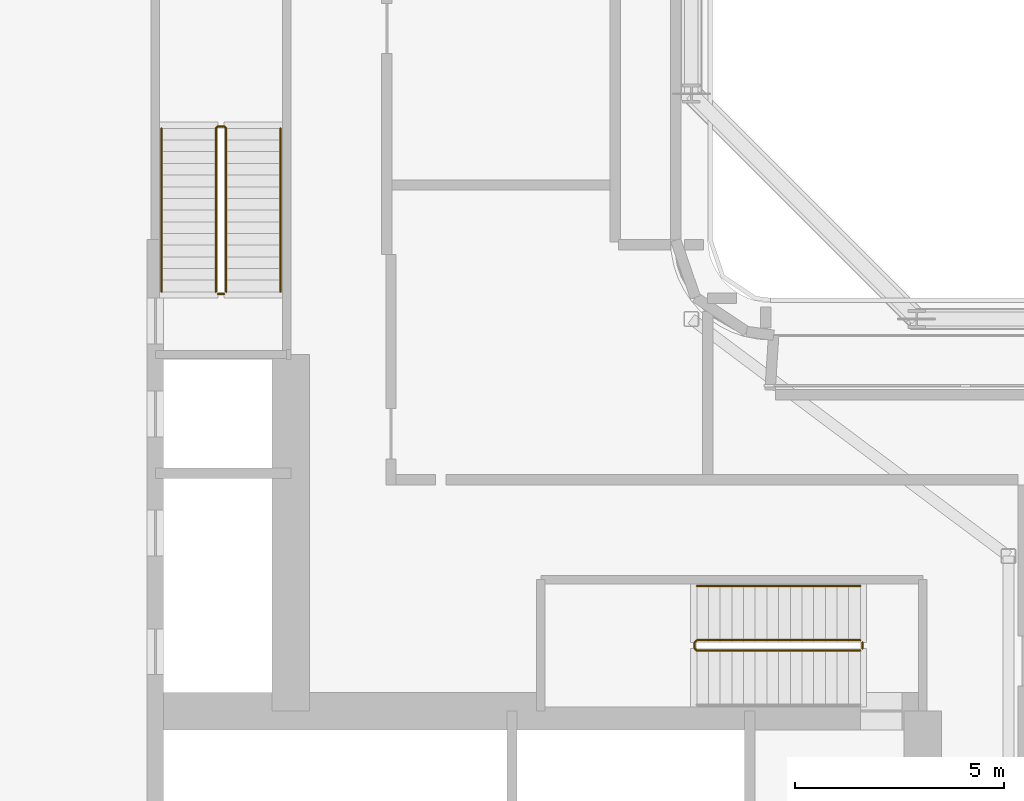
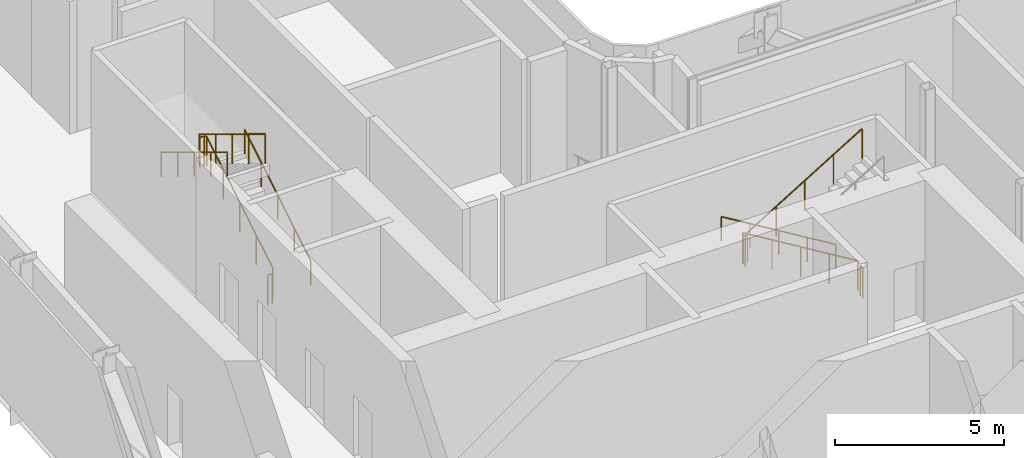
# One storey, part 25 of 30: 7 railings.
"""IFC4 building model written with IfcOpenShell, lengths in metres."""

import ifcopenshell
import ifcopenshell.guid

model = None  # the IFC model being written
_history = None  # IfcOwnerHistory: only IFC2X3 demands one
_inside = {}  # id of a spatial element -> (the spatial element, [elements in it])
_under = {}  # id of a project, library or spatial element -> (it, [spatial elements below it])
_declared = {}  # id of a project -> (the project, [libraries it declares])
_typed = {}  # id of a type object -> (the type object, [elements of that type])
_made_of = {}  # id of a material, layer set ... -> (it, [elements and type objects made of it])


def new_model(schema):
    """Start an empty IFC model of exactly this schema.

    Asked for "IFC4X3", IfcOpenShell would pick the latest addendum, in which some entities
    have other attributes; the version numbers below select the first issue.
    IFC2X3 requires an IfcOwnerHistory on every rooted entity: one is made here for all.
    """
    global model, _history
    if schema == "IFC4X3":
        model = ifcopenshell.file(schema_version=(4, 3, 0, 0))
    else:
        model = ifcopenshell.file(schema=schema)
    _inside.clear()
    _under.clear()
    _declared.clear()
    _typed.clear()
    _made_of.clear()
    _history = None
    if model.schema == "IFC2X3":
        org = make("IfcOrganization", Name="unknown")
        user = make(
            "IfcPersonAndOrganization",
            ThePerson=make("IfcPerson", FamilyName="unknown"),
            TheOrganization=org,
        )
        app = make(
            "IfcApplication",
            ApplicationDeveloper=org,
            Version="unknown",
            ApplicationFullName="unknown",
            ApplicationIdentifier="unknown",
        )
        _history = make(
            "IfcOwnerHistory",
            OwningUser=user,
            OwningApplication=app,
            ChangeAction="ADDED",
            CreationDate=0,
        )
    return model


def make(cls, **values):
    """One entity of the class cls with the attributes given. An attribute that is None is left unset."""
    return model.create_entity(
        cls, **{name: value for name, value in values.items() if value is not None}
    )


def rooted(cls, **values):
    """An entity with a GlobalId (a new one), such as an element, a storey or a relation."""
    return make(cls, GlobalId=ifcopenshell.guid.new(), OwnerHistory=_history, **values)


def si_unit(unit_type, name, prefix=None):
    """IfcSIUnit, for example si_unit("LENGTHUNIT", "METRE", prefix="MILLI")."""
    return make("IfcSIUnit", UnitType=unit_type, Prefix=prefix, Name=name)


def assignment(units):
    """IfcUnitAssignment: the units of a project."""
    return None if units is None else make("IfcUnitAssignment", Units=units)


def point(xyz):
    """IfcCartesianPoint."""
    return None if xyz is None else make("IfcCartesianPoint", Coordinates=xyz)


def direction(xyz):
    """IfcDirection."""
    return None if xyz is None else make("IfcDirection", DirectionRatios=xyz)


def frame(location, z_axis=None, x_axis=None):
    """IfcAxis2Placement3D, a coordinate frame: its origin and axes. An axis left out is left unset."""
    return make(
        "IfcAxis2Placement3D",
        Location=point(location),
        Axis=direction(z_axis),
        RefDirection=direction(x_axis),
    )


def frame_2d(location, x_axis=None):
    """IfcAxis2Placement2D, a coordinate frame in the plane: its origin and x axis."""
    return make(
        "IfcAxis2Placement2D", Location=point(location), RefDirection=direction(x_axis)
    )


def origin():
    """The frame at (0, 0, 0) with its axes left unset."""
    return frame((0.0, 0.0, 0.0))


def origin_2d():
    """The frame at (0, 0) in the plane with its x axis left unset."""
    return frame_2d((0.0, 0.0))


def place(relative_to, where):
    """IfcLocalPlacement: puts the frame where relative to a parent placement (None: the world)."""
    return make(
        "IfcLocalPlacement", PlacementRelTo=relative_to, RelativePlacement=where
    )


def context(
    kind, dimensions, precision=None, world=None, true_north=None, identifier=None
):
    """IfcGeometricRepresentationContext, for example the 3D "Model" context."""
    return make(
        "IfcGeometricRepresentationContext",
        ContextIdentifier=identifier,
        ContextType=kind,
        CoordinateSpaceDimension=dimensions,
        Precision=precision,
        WorldCoordinateSystem=world,
        TrueNorth=true_north,
    )


def subcontext(parent, identifier, kind, view, scale=None):
    """IfcGeometricRepresentationSubContext, for example "Body" below "Model"."""
    return make(
        "IfcGeometricRepresentationSubContext",
        ContextIdentifier=identifier,
        ContextType=kind,
        ParentContext=parent,
        TargetScale=scale,
        TargetView=view,
    )


def project(units=None, contexts=None):
    """IfcProject with its units and contexts."""
    return rooted(
        "IfcProject",
        Name="project",
        RepresentationContexts=contexts,
        UnitsInContext=assignment(units),
    )


def spatial(cls, under=None, at=None, **own):
    """A site, building, storey or space (cls), placed at a placement, below another one or the project."""
    s = rooted(cls, ObjectPlacement=at, **own)
    if under is not None:
        _under.setdefault(under.id(), (under, []))[1].append(s)
    return s


def profile(cls, at=None, kind="AREA", **sizes):
    """A parametric profile (cls). Its sizes go by their IFC names, for example OverallWidth=200.0."""
    return make(cls, ProfileType=kind, Position=at, **sizes)


def circle(**sizes):
    """IfcCircleProfileDef."""
    return profile("IfcCircleProfileDef", **sizes)


def extrude(swept, where, along, depth):
    """IfcExtrudedAreaSolid: the profile swept, set in the frame where, extruded along a direction by depth."""
    return make(
        "IfcExtrudedAreaSolid",
        SweptArea=swept,
        Position=where,
        ExtrudedDirection=direction(along),
        Depth=depth,
    )


def shape(context_of_items, identifier, shape_type, items):
    """IfcShapeRepresentation: the items that make up one representation, for example the "Body"."""
    return make(
        "IfcShapeRepresentation",
        ContextOfItems=context_of_items,
        RepresentationIdentifier=identifier,
        RepresentationType=shape_type,
        Items=items,
    )


def material(Name=None, Category=None):
    """IfcMaterial."""
    return make("IfcMaterial", Name=Name, Category=Category)


def made_of(thing, what):
    """Note that an element or type object is made of a material, layer set ...; save() writes the relation."""
    if what is not None:
        _made_of.setdefault(what.id(), (what, []))[1].append(thing)
    return thing


def type_object(cls, material=None, **own):
    """A type object (cls), such as IfcWallType, which elements share."""
    return made_of(rooted(cls, **own), material)


def element(
    cls,
    number,
    at=None,
    inside=None,
    cuts=None,
    type_object=None,
    material=None,
    context=None,
    identifier="Body",
    shape_type=None,
    held_by="IfcProductDefinitionShape",
    body=None,
    shapes=None,
    **own,
):
    """One element of the class cls, such as IfcWall. Its Tag is "e" and its number.

    at: its placement. inside: the storey or other place that contains it. cuts: it is an
    opening in that element (IfcRelVoidsElement). A single representation is given by context,
    identifier, shape_type and body (its items); several are given by shapes. held_by: the class
    of the entity that holds the representations. save() writes the other relations.
    """
    e = rooted(cls, Tag="e%d" % number, ObjectPlacement=at, **own)
    if body is not None:
        shapes = [shape(context, identifier, shape_type, body)]
    if shapes is not None:
        e.Representation = make(held_by, Representations=shapes)
    if inside is not None:
        _inside.setdefault(inside.id(), (inside, []))[1].append(e)
    if cuts is not None:
        rooted(
            "IfcRelVoidsElement", RelatingBuildingElement=cuts, RelatedOpeningElement=e
        )
    if type_object is not None:
        _typed.setdefault(type_object.id(), (type_object, []))[1].append(e)
    return made_of(e, material)


def aggregate(whole, parts):
    """IfcRelAggregates: a whole, such as a stair, and the parts it consists of."""
    return rooted("IfcRelAggregates", RelatingObject=whole, RelatedObjects=parts)


def save(model, path):
    """Write the relations noted so far, then the file.

    IfcRelAggregates (storeys below a building ...), IfcRelContainedInSpatialStructure (elements
    in a storey), IfcRelDefinesByType, IfcRelAssociatesMaterial and IfcRelDeclares: one each for
    every whole, place, type object, material and project.
    """
    for whole, parts in _under.values():
        aggregate(whole, parts)
    for where, things in _inside.values():
        rooted(
            "IfcRelContainedInSpatialStructure",
            RelatedElements=things,
            RelatingStructure=where,
        )
    for kind, things in _typed.values():
        rooted("IfcRelDefinesByType", RelatedObjects=things, RelatingType=kind)
    for what, things in _made_of.values():
        rooted("IfcRelAssociatesMaterial", RelatedObjects=things, RelatingMaterial=what)
    for by, libraries in _declared.values():
        rooted("IfcRelDeclares", RelatingContext=by, RelatedDefinitions=libraries)
    model.write(path)


model = new_model("IFC4")

# Units and contexts
model_context = context("Model", 3, precision=1e-05, world=origin(), true_north=direction((0.0, 1.0)))
body_context = subcontext(model_context, "Body", "Model", "MODEL_VIEW")
ifc_project = project(units=[si_unit("LENGTHUNIT", "METRE"), si_unit("AREAUNIT", "SQUARE_METRE"), si_unit("VOLUMEUNIT", "CUBIC_METRE"), si_unit("PLANEANGLEUNIT", "RADIAN"), si_unit("MASSUNIT", "GRAM", prefix="KILO")], contexts=[model_context])

# Site, building, storey
site_placement = place(None, origin())
site = spatial("IfcSite", under=ifc_project, at=site_placement, CompositionType="ELEMENT")
building_placement = place(site_placement, origin())
building = spatial("IfcBuilding", under=site, at=building_placement, Name="Kheshtan School and Residences Tower", CompositionType="ELEMENT")
storey_placement = place(building_placement, frame((0.0, 0.0, 89.0)))
storey = spatial("IfcBuildingStorey", under=building, at=storey_placement, Name="L20", CompositionType="ELEMENT", Elevation=89.0)

# Railings
ifc_material_1 = material(Name="Stainless steel balustrade", Category="steel")
railing_type_1 = type_object("IfcRailingType", Name="Stair guard 1100", PredefinedType="GUARDRAIL", material=ifc_material_1)
railing_1_placement = place(storey_placement, frame((51.64990234375, 37.89990234375, 0.169921875)))
element("IfcRailing", 1, at=railing_1_placement, inside=storey, type_object=railing_type_1, Name="L20 ST1 stair guard 1", PredefinedType="GUARDRAIL", context=body_context, shape_type="SweptSolid", body=[
    extrude(circle(Radius=0.02392578125, at=origin_2d()), frame((0.0, 0.0, 1.076171875), z_axis=(-0.854770645689, 0.0, 0.519005918337), x_axis=(0.0, -1.0, 0.0)), (0.0, 0.0, 1.0), 4.5859375),
    extrude(circle(Radius=0.02392578125, at=origin_2d()), frame((-3.919921875, 0.0, 3.4560546875), z_axis=(-0.708833529934, -0.705375805398, 0.0), x_axis=(0.705375805398, -0.708833529934, 0.0)), (0.0, 0.0, 1.0), 0.070556640625),
    extrude(circle(Radius=0.02392578125, at=origin_2d()), frame((-3.969970703125, -0.0498046875, 3.4560546875), z_axis=(0.0, -1.0, 0.0), x_axis=(1.0, 0.0, 0.0)), (0.0, 0.0, 1.0), 0.150146484375),
    extrude(circle(Radius=0.02392578125, at=origin_2d()), frame((-3.969970703125, -0.199951171875, 3.4560546875), z_axis=(0.271895245746, -0.271895245746, 0.923117517265), x_axis=(0.707106781187, 0.707106781187, 0.0)), (0.0, 0.0, 1.0), 0.18408203125),
    extrude(circle(Radius=0.02392578125, at=origin_2d()), frame((-3.919921875, -0.25, 3.6259765625), z_axis=(0.854770645689, 0.0, 0.519005918337), x_axis=(0.0, 1.0, 0.0)), (0.0, 0.0, 1.0), 4.5859375),
    extrude(circle(Radius=0.02099609375, at=origin_2d()), origin(), (0.0, 0.0, 1.0), 1.052001953125),
    extrude(circle(Radius=0.02099609375, at=origin_2d()), frame((-0.97998046875, 0.0, 0.594970703125)), (0.0, 0.0, 1.0), 1.052001953125),
    extrude(circle(Radius=0.02099609375, at=origin_2d()), frame((-1.9599609375, 0.0, 1.18994140625)), (0.0, 0.0, 1.0), 1.052001953125),
    extrude(circle(Radius=0.02099609375, at=origin_2d()), frame((-2.93994140625, 0.0, 1.78515625)), (0.0, 0.0, 1.0), 1.052001953125),
    extrude(circle(Radius=0.02099609375, at=origin_2d()), frame((-3.919921875, 0.0, 2.380126953125)), (0.0, 0.0, 1.0), 1.052001953125),
    extrude(circle(Radius=0.02099609375, at=origin_2d()), frame((-3.969970703125, -0.0498046875, 2.380126953125)), (0.0, 0.0, 1.0), 1.052001953125),
    extrude(circle(Radius=0.02099609375, at=origin_2d()), frame((-3.969970703125, -0.199951171875, 2.380126953125)), (0.0, 0.0, 1.0), 1.052001953125),
    extrude(circle(Radius=0.02099609375, at=origin_2d()), frame((-3.919921875, -0.25, 2.550048828125)), (0.0, 0.0, 1.0), 1.052001953125),
    extrude(circle(Radius=0.02099609375, at=origin_2d()), frame((-2.93994140625, -0.25, 3.14501953125)), (0.0, 0.0, 1.0), 1.052001953125),
    extrude(circle(Radius=0.02099609375, at=origin_2d()), frame((-1.9599609375, -0.25, 3.740234375)), (0.0, 0.0, 1.0), 1.052001953125),
    extrude(circle(Radius=0.02099609375, at=origin_2d()), frame((-0.97998046875, -0.25, 4.335205078125)), (0.0, 0.0, 1.0), 1.052001953125),
    extrude(circle(Radius=0.02099609375, at=origin_2d()), frame((0.0, -0.25, 4.93017578125)), (0.0, 0.0, 1.0), 1.052001953125),
])
railing_2_placement = place(storey_placement, frame((51.699951171875, 37.85009765625, 0.0)))
element("IfcRailing", 2, at=railing_2_placement, inside=storey, type_object=railing_type_1, Name="L20 ST1 stair guard 2", PredefinedType="GUARDRAIL", context=body_context, shape_type="SweptSolid", body=[
    extrude(circle(Radius=0.02392578125, at=origin_2d()), frame((0.0, 0.0, 1.076171875), z_axis=(0.0, -1.0, 0.0), x_axis=(1.0, 0.0, 0.0)), (0.0, 0.0, 1.0), 0.150146484375),
    extrude(circle(Radius=0.02099609375, at=origin_2d()), origin(), (0.0, 0.0, 1.0), 1.052001953125),
    extrude(circle(Radius=0.02099609375, at=origin_2d()), frame((0.0, -0.150146484375, 0.0)), (0.0, 0.0, 1.0), 1.052001953125),
])
railing_3_placement = place(storey_placement, frame((36.449951171875, 46.25, 0.169921875)))
element("IfcRailing", 3, at=railing_3_placement, inside=storey, type_object=railing_type_1, Name="L20 ST2 stair guard 1", PredefinedType="GUARDRAIL", context=body_context, shape_type="SweptSolid", body=[
    extrude(circle(Radius=0.02392578125, at=origin_2d()), frame((0.0, 0.0, 1.076171875), z_axis=(0.0, 0.854770645689, 0.519005918337), x_axis=(-1.0, 0.0, 0.0)), (0.0, 0.0, 1.0), 4.5859375),
    extrude(circle(Radius=0.02392578125, at=origin_2d()), frame((0.0, 3.919921875, 3.4560546875), z_axis=(-0.707106781187, 0.707106781187, 0.0), x_axis=(-0.707106781187, -0.707106781187, 0.0)), (0.0, 0.0, 1.0), 0.07080078125),
    extrude(circle(Radius=0.02392578125, at=origin_2d()), frame((-0.050048828125, 3.969970703125, 3.4560546875), z_axis=(-1.0, 0.0, 0.0), x_axis=(0.0, -1.0, 0.0)), (0.0, 0.0, 1.0), 0.14990234375),
    extrude(circle(Radius=0.02392578125, at=origin_2d()), frame((-0.199951171875, 3.969970703125, 3.4560546875), z_axis=(-0.271895245746, -0.271895245746, 0.923117517265), x_axis=(0.707106781187, -0.707106781187, 0.0)), (0.0, 0.0, 1.0), 0.18408203125),
    extrude(circle(Radius=0.02392578125, at=origin_2d()), frame((-0.25, 3.919921875, 3.6259765625), z_axis=(0.0, -0.854770645689, 0.519005918337), x_axis=(1.0, 0.0, 0.0)), (0.0, 0.0, 1.0), 4.5859375),
    extrude(circle(Radius=0.02099609375, at=origin_2d()), origin(), (0.0, 0.0, 1.0), 1.052001953125),
    extrude(circle(Radius=0.02099609375, at=origin_2d()), frame((0.0, 0.97998046875, 0.594970703125)), (0.0, 0.0, 1.0), 1.052001953125),
    extrude(circle(Radius=0.02099609375, at=origin_2d()), frame((0.0, 1.9599609375, 1.18994140625)), (0.0, 0.0, 1.0), 1.052001953125),
    extrude(circle(Radius=0.02099609375, at=origin_2d()), frame((0.0, 2.93994140625, 1.78515625)), (0.0, 0.0, 1.0), 1.052001953125),
    extrude(circle(Radius=0.02099609375, at=origin_2d()), frame((0.0, 3.919921875, 2.380126953125)), (0.0, 0.0, 1.0), 1.052001953125),
    extrude(circle(Radius=0.02099609375, at=origin_2d()), frame((-0.050048828125, 3.969970703125, 2.380126953125)), (0.0, 0.0, 1.0), 1.052001953125),
    extrude(circle(Radius=0.02099609375, at=origin_2d()), frame((-0.199951171875, 3.969970703125, 2.380126953125)), (0.0, 0.0, 1.0), 1.052001953125),
    extrude(circle(Radius=0.02099609375, at=origin_2d()), frame((-0.25, 3.919921875, 2.550048828125)), (0.0, 0.0, 1.0), 1.052001953125),
    extrude(circle(Radius=0.02099609375, at=origin_2d()), frame((-0.25, 2.93994140625, 3.14501953125)), (0.0, 0.0, 1.0), 1.052001953125),
    extrude(circle(Radius=0.02099609375, at=origin_2d()), frame((-0.25, 1.9599609375, 3.740234375)), (0.0, 0.0, 1.0), 1.052001953125),
    extrude(circle(Radius=0.02099609375, at=origin_2d()), frame((-0.25, 0.97998046875, 4.335205078125)), (0.0, 0.0, 1.0), 1.052001953125),
    extrude(circle(Radius=0.02099609375, at=origin_2d()), frame((-0.25, 0.0, 4.93017578125)), (0.0, 0.0, 1.0), 1.052001953125),
])
railing_4_placement = place(storey_placement, frame((36.39990234375, 46.199951171875, 0.0)))
element("IfcRailing", 4, at=railing_4_placement, inside=storey, type_object=railing_type_1, Name="L20 ST2 stair guard 2", PredefinedType="GUARDRAIL", context=body_context, shape_type="SweptSolid", body=[
    extrude(circle(Radius=0.02392578125, at=origin_2d()), frame((0.0, 0.0, 1.076171875), z_axis=(-1.0, 0.0, 0.0), x_axis=(0.0, -1.0, 0.0)), (0.0, 0.0, 1.0), 0.14990234375),
    extrude(circle(Radius=0.02099609375, at=origin_2d()), origin(), (0.0, 0.0, 1.0), 1.052001953125),
    extrude(circle(Radius=0.02099609375, at=origin_2d()), frame((-0.14990234375, 0.0, 0.0)), (0.0, 0.0, 1.0), 1.052001953125),
])
ifc_material_2 = material(Name="Stainless steel handrail", Category="steel")
railing_type_2 = type_object("IfcRailingType", Name="Stair handrail 900", PredefinedType="HANDRAIL", material=ifc_material_2)
railing_5_placement = place(storey_placement, frame((51.64990234375, 39.199951171875, 0.169921875)))
element("IfcRailing", 5, at=railing_5_placement, inside=storey, type_object=railing_type_2, Name="L20 ST1 stair handrail 1", PredefinedType="HANDRAIL", context=body_context, shape_type="SweptSolid", body=[
    extrude(circle(Radius=0.02392578125, at=origin_2d()), frame((0.0, 0.0, 0.8759765625), z_axis=(-0.854770645689, 0.0, 0.519005918337), x_axis=(0.0, -1.0, 0.0)), (0.0, 0.0, 1.0), 4.5859375),
    extrude(circle(Radius=0.02099609375, at=origin_2d()), origin(), (0.0, 0.0, 1.0), 0.851806640625),
    extrude(circle(Radius=0.02099609375, at=origin_2d()), frame((-0.97998046875, 0.0, 0.594970703125)), (0.0, 0.0, 1.0), 0.851806640625),
    extrude(circle(Radius=0.02099609375, at=origin_2d()), frame((-1.9599609375, 0.0, 1.18994140625)), (0.0, 0.0, 1.0), 0.851806640625),
    extrude(circle(Radius=0.02099609375, at=origin_2d()), frame((-2.93994140625, 0.0, 1.78515625)), (0.0, 0.0, 1.0), 0.851806640625),
    extrude(circle(Radius=0.02099609375, at=origin_2d()), frame((-3.919921875, 0.0, 2.380126953125)), (0.0, 0.0, 1.0), 0.851806640625),
])
railing_6_placement = place(storey_placement, frame((37.75, 46.25, 0.169921875)))
element("IfcRailing", 6, at=railing_6_placement, inside=storey, type_object=railing_type_2, Name="L20 ST2 stair handrail 1", PredefinedType="HANDRAIL", context=body_context, shape_type="SweptSolid", body=[
    extrude(circle(Radius=0.02392578125, at=origin_2d()), frame((0.0, 0.0, 0.8759765625), z_axis=(0.0, 0.854770645689, 0.519005918337), x_axis=(-1.0, 0.0, 0.0)), (0.0, 0.0, 1.0), 4.5859375),
    extrude(circle(Radius=0.02099609375, at=origin_2d()), origin(), (0.0, 0.0, 1.0), 0.851806640625),
    extrude(circle(Radius=0.02099609375, at=origin_2d()), frame((0.0, 0.97998046875, 0.594970703125)), (0.0, 0.0, 1.0), 0.851806640625),
    extrude(circle(Radius=0.02099609375, at=origin_2d()), frame((0.0, 1.9599609375, 1.18994140625)), (0.0, 0.0, 1.0), 0.851806640625),
    extrude(circle(Radius=0.02099609375, at=origin_2d()), frame((0.0, 2.93994140625, 1.78515625)), (0.0, 0.0, 1.0), 0.851806640625),
    extrude(circle(Radius=0.02099609375, at=origin_2d()), frame((0.0, 3.919921875, 2.380126953125)), (0.0, 0.0, 1.0), 0.851806640625),
])
railing_7_placement = place(storey_placement, frame((34.89990234375, 50.169921875, 2.719970703125)))
element("IfcRailing", 7, at=railing_7_placement, inside=storey, type_object=railing_type_2, Name="L20 ST2 stair handrail 2", PredefinedType="HANDRAIL", context=body_context, shape_type="SweptSolid", body=[
    extrude(circle(Radius=0.02392578125, at=origin_2d()), frame((0.0, 0.0, 0.8759765625), z_axis=(0.0, -0.854770645689, 0.519005918337), x_axis=(1.0, 0.0, 0.0)), (0.0, 0.0, 1.0), 4.5859375),
    extrude(circle(Radius=0.02099609375, at=origin_2d()), origin(), (0.0, 0.0, 1.0), 0.851806640625),
    extrude(circle(Radius=0.02099609375, at=origin_2d()), frame((0.0, -0.97998046875, 0.594970703125)), (0.0, 0.0, 1.0), 0.851806640625),
    extrude(circle(Radius=0.02099609375, at=origin_2d()), frame((0.0, -1.9599609375, 1.18994140625)), (0.0, 0.0, 1.0), 0.851806640625),
    extrude(circle(Radius=0.02099609375, at=origin_2d()), frame((0.0, -2.93994140625, 1.78515625)), (0.0, 0.0, 1.0), 0.851806640625),
    extrude(circle(Radius=0.02099609375, at=origin_2d()), frame((0.0, -3.919921875, 2.380126953125)), (0.0, 0.0, 1.0), 0.851806640625),
])

save(model, "model.ifc")
